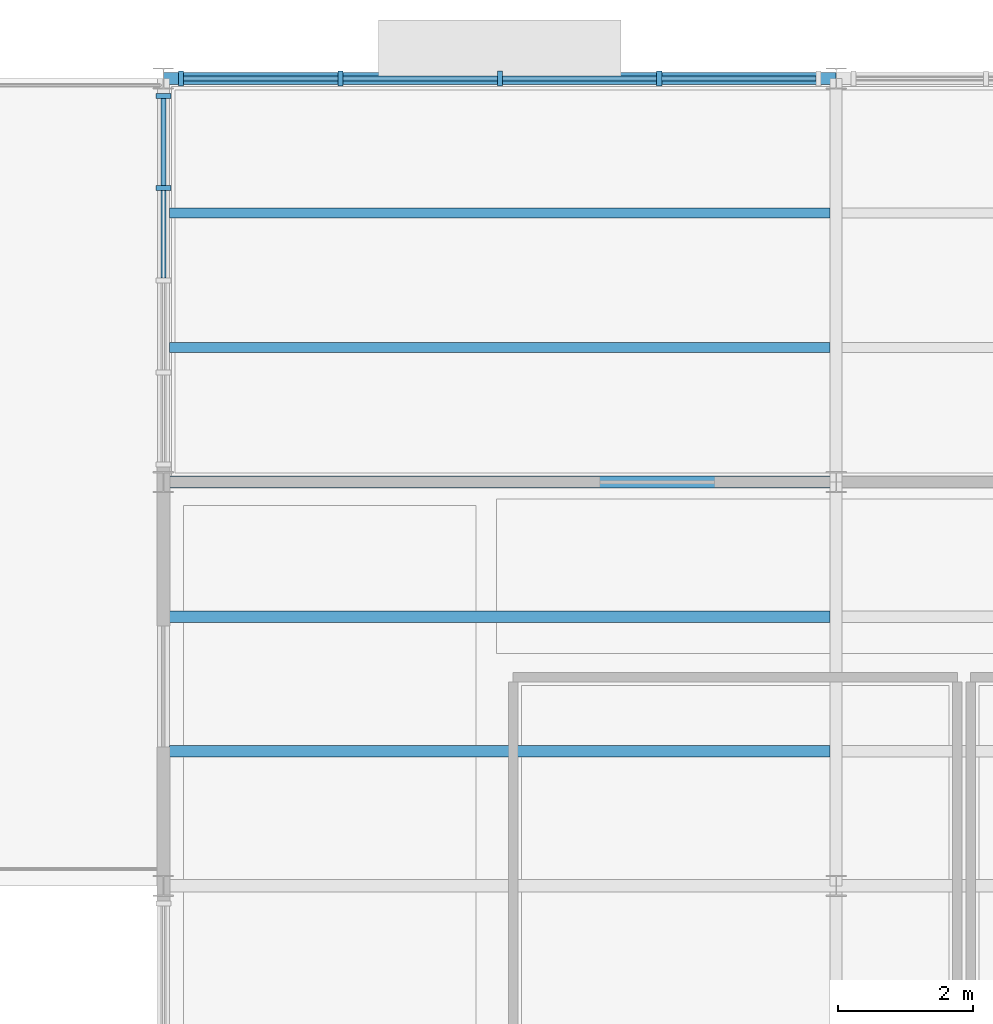
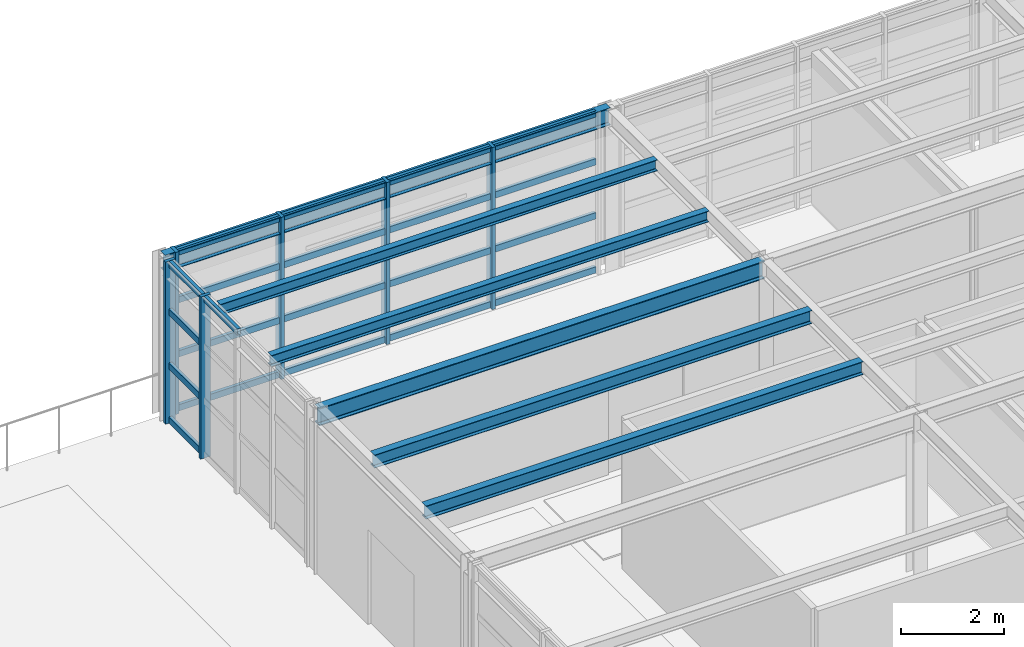
# One storey, part 23 of 49: 27 members, 6 beams, 2 elements without a shape of their own.
"""IFC4 building model written with IfcOpenShell, lengths in metres."""

from ifc_helpers import new_model, si_unit, direction, frame, origin, origin_2d, place, context, subcontext, project, spatial, rectangle, i_section, extrude, material, layer, layer_set, material_profile, profile_set, type_object, element, aggregate, save


model = new_model("IFC4")

# Units and contexts
model_context = context("Model", 3, precision=1e-05, world=origin(), true_north=direction((0.0, 1.0)))
body_context = subcontext(model_context, "Body", "Model", "MODEL_VIEW")
ifc_project = project(units=[si_unit("LENGTHUNIT", "METRE"), si_unit("AREAUNIT", "SQUARE_METRE"), si_unit("VOLUMEUNIT", "CUBIC_METRE"), si_unit("PLANEANGLEUNIT", "RADIAN"), si_unit("MASSUNIT", "GRAM", prefix="KILO")], contexts=[model_context])

# Site, building, storey
site_placement = place(None, origin())
site = spatial("IfcSite", under=ifc_project, at=site_placement, CompositionType="ELEMENT")
building_placement = place(site_placement, origin())
building = spatial("IfcBuilding", under=site, at=building_placement, Name="Sitalva Quay Ferry Terminal", CompositionType="ELEMENT")
storey_placement = place(building_placement, frame((0.0, 0.0, 10.199951171875)))
storey = spatial("IfcBuildingStorey", under=building, at=storey_placement, Name="L03", CompositionType="ELEMENT", Elevation=10.199951171875)

# Beams
ifc_material_1 = material(Name="Structural Steel S355JR", Category="steel")
ifc_material_profile_1 = material_profile(ifc_material_1, i_section(OverallWidth=0.178955078125, OverallDepth=0.409912109375, WebThickness=0.0087890625, FlangeThickness=0.014404296875, FilletRadius=0.012939453125, at=origin_2d()), Name="W410x67")
ifc_profile_set_1 = profile_set([ifc_material_profile_1], Name="Structural Steel S355JR")
beam_type_1 = type_object("IfcBeamType", Name="Beam_W410x67", PredefinedType="BEAM", material=ifc_profile_set_1)
beam_1_placement = place(storey_placement, frame((74.0, 112.0, 3.64501953125), z_axis=(1.0, 0.0, 0.0), x_axis=(0.0, 1.0, 0.0)))
element("IfcBeam", 1, at=beam_1_placement, inside=storey, type_object=beam_type_1, Name="L03 Primary X girder 1276", PredefinedType="BEAM", context=body_context, shape_type="SweptSolid", body=[
    extrude(i_section(OverallWidth=0.178955078125, OverallDepth=0.409912109375, WebThickness=0.0087890625, FlangeThickness=0.014404296875, FilletRadius=0.012939453125, at=origin_2d()), origin(), (0.0, 0.0, 1.0), 10.0),
])
ifc_material_2 = material(Name="Structural Steel S355JR", Category="steel")
ifc_material_profile_2 = material_profile(ifc_material_2, i_section(OverallWidth=0.180908203125, OverallDepth=0.4169921875, WebThickness=0.010986328125, FlangeThickness=0.018310546875, FilletRadius=0.012939453125, at=origin_2d()), Name="W410x85")
ifc_profile_set_2 = profile_set([ifc_material_profile_2], Name="Structural Steel S355JR")
beam_type_2 = type_object("IfcBeamType", Name="Beam_W410x85", PredefinedType="BEAM", material=ifc_profile_set_2)
beam_2_placement = place(storey_placement, frame((74.0, 106.0, 3.6416015625), z_axis=(1.0, 0.0, 0.0), x_axis=(0.0, 1.0, 0.0)))
element("IfcBeam", 2, at=beam_2_placement, inside=storey, type_object=beam_type_2, Name="L03 Primary X girder 1219", PredefinedType="BEAM", context=body_context, shape_type="SweptSolid", body=[
    extrude(i_section(OverallWidth=0.180908203125, OverallDepth=0.4169921875, WebThickness=0.010986328125, FlangeThickness=0.018310546875, FilletRadius=0.012939453125, at=origin_2d()), origin(), (0.0, 0.0, 1.0), 10.0),
])
ifc_material_3 = material(Name="Structural Steel S355JR", Category="steel")
ifc_material_profile_3 = material_profile(ifc_material_3, i_section(OverallWidth=0.14697265625, OverallDepth=0.261962890625, WebThickness=0.006591796875, FlangeThickness=0.01123046875, FilletRadius=0.010009765625, at=origin_2d()), Name="W250x39")
ifc_profile_set_3 = profile_set([ifc_material_profile_3], Name="Structural Steel S355JR")
beam_type_3 = type_object("IfcBeamType", Name="Joist_W250x39", PredefinedType="JOIST", material=ifc_profile_set_3)
for number, where, z_axis, x_axis, name in (
    (3, (74.089599609375, 108.0, 3.718994140625), (1.0, 0.0, 0.0), (0.0, 1.0, 0.0), "L03 Secondary joist 1287"),
    (4, (74.089599609375, 110.0, 3.718994140625), (1.0, 0.0, 0.0), (0.0, 1.0, 0.0), "L03 Secondary joist 1292"),
):
    element("IfcBeam", number, at=place(storey_placement, frame(where, z_axis=z_axis, x_axis=x_axis)), inside=storey, type_object=beam_type_3, Name=name, PredefinedType="JOIST", context=body_context, shape_type="SweptSolid", body=[
        extrude(i_section(OverallWidth=0.14697265625, OverallDepth=0.261962890625, WebThickness=0.006591796875, FlangeThickness=0.01123046875, FilletRadius=0.010009765625, at=origin_2d()), origin(), (0.0, 0.0, 1.0), 9.82080078125),
    ])
ifc_material_4 = material(Name="Structural Steel S355JR", Category="steel")
ifc_material_profile_4 = material_profile(ifc_material_4, i_section(OverallWidth=0.166015625, OverallDepth=0.31298828125, WebThickness=0.006591796875, FlangeThickness=0.01123046875, FilletRadius=0.010986328125, at=origin_2d()), Name="W310x45")
ifc_profile_set_4 = profile_set([ifc_material_profile_4], Name="Structural Steel S355JR")
beam_type_4 = type_object("IfcBeamType", Name="Joist_W310x45", PredefinedType="JOIST", material=ifc_profile_set_4)
for number, where, z_axis, x_axis, name in (
    (5, (74.089599609375, 102.0, 3.763427734375), (1.0, 0.0, 0.0), (0.0, 1.0, 0.0), "L03 Secondary joist 1264"),
    (6, (74.089599609375, 104.0, 3.763427734375), (1.0, 0.0, 0.0), (0.0, 1.0, 0.0), "L03 Secondary joist 1270"),
):
    element("IfcBeam", number, at=place(storey_placement, frame(where, z_axis=z_axis, x_axis=x_axis)), inside=storey, type_object=beam_type_4, Name=name, PredefinedType="JOIST", context=body_context, shape_type="SweptSolid", body=[
        extrude(i_section(OverallWidth=0.166015625, OverallDepth=0.31298828125, WebThickness=0.006591796875, FlangeThickness=0.01123046875, FilletRadius=0.010986328125, at=origin_2d()), origin(), (0.0, 0.0, 1.0), 9.82080078125),
    ])

# Curtain wall, members
ifc_material_5 = material(Name="Anodised Aluminium & Low-E Glazing", Category="aluminium")
ifc_layer = layer(ifc_material_5, 0.159912109375)
ifc_layer_set = layer_set([ifc_layer], Name="Anodised Aluminium & Low-E Glazing")
curtain_wall_type = type_object("IfcCurtainWallType", Name="CW_Office_Unitised", PredefinedType="USERDEFINED", material=ifc_layer_set)
curtain_wall_1_placement = place(storey_placement, origin())
curtain_wall_1 = element("IfcCurtainWall", 7, at=curtain_wall_1_placement, inside=storey, type_object=curtain_wall_type, Name="L03 maritime bridge west glazing (CW-L03-126)", ObjectType="CURTAIN_WALL", PredefinedType="USERDEFINED")
ifc_material_6 = material(Name="Anodised Aluminium 6063-T6", Category="aluminium")
ifc_material_profile_5 = material_profile(ifc_material_6, rectangle(XDim=0.074951171875, YDim=0.219970703125, at=origin_2d()), Name="ALU75x220")
ifc_profile_set_5 = profile_set([ifc_material_profile_5], Name="Anodised Aluminium 6063-T6")
member_type_1 = type_object("IfcMemberType", Name="Mullion_Alu_75x160", PredefinedType="MULLION", material=ifc_profile_set_5)
member_1_placement = place(storey_placement, frame((74.0, 110.3701171875, 0.0), z_axis=(0.0, 0.0, 1.0), x_axis=(0.0, 1.0, 0.0)))
member_1 = element("IfcMember", 8, at=member_1_placement, type_object=member_type_1, Name="CW-L03-126-M3", PredefinedType="MULLION", context=body_context, shape_type="SweptSolid", body=[
    extrude(rectangle(XDim=0.074951171875, YDim=0.219970703125, at=origin_2d()), origin(), (0.0, 0.0, 1.0), 3.85009765625),
])
member_2_placement = place(storey_placement, frame((74.0, 111.739990234375, 0.0), z_axis=(0.0, 0.0, 1.0), x_axis=(0.0, 1.0, 0.0)))
member_2 = element("IfcMember", 9, at=member_2_placement, type_object=member_type_1, Name="CW-L03-126-M4", PredefinedType="MULLION", context=body_context, shape_type="SweptSolid", body=[
    extrude(rectangle(XDim=0.074951171875, YDim=0.219970703125, at=origin_2d()), origin(), (0.0, 0.0, 1.0), 3.85009765625),
])

curtain_wall_2_placement = place(storey_placement, origin())
curtain_wall_2 = element("IfcCurtainWall", 10, at=curtain_wall_2_placement, inside=storey, type_object=curtain_wall_type, Name="L03 maritime admin north glazing (CW-L03-132)", ObjectType="CURTAIN_WALL", PredefinedType="USERDEFINED")
member_3_placement = place(storey_placement, frame((74.260009765625, 112.0, 0.0), z_axis=(0.0, 0.0, 1.0), x_axis=(1.0, 0.0, 0.0)))
member_3 = element("IfcMember", 11, at=member_3_placement, type_object=member_type_1, Name="CW-L03-132-M0", PredefinedType="MULLION", context=body_context, shape_type="SweptSolid", body=[
    extrude(rectangle(XDim=0.074951171875, YDim=0.219970703125, at=origin_2d()), origin(), (0.0, 0.0, 1.0), 3.85009765625),
])
member_4_placement = place(storey_placement, frame((76.6298828125, 112.0, 0.0), z_axis=(0.0, 0.0, 1.0), x_axis=(1.0, 0.0, 0.0)))
member_4 = element("IfcMember", 12, at=member_4_placement, type_object=member_type_1, Name="CW-L03-132-M1", PredefinedType="MULLION", context=body_context, shape_type="SweptSolid", body=[
    extrude(rectangle(XDim=0.074951171875, YDim=0.219970703125, at=origin_2d()), origin(), (0.0, 0.0, 1.0), 3.85009765625),
])
member_5_placement = place(storey_placement, frame((79.0, 112.0, 0.0), z_axis=(0.0, 0.0, 1.0), x_axis=(1.0, 0.0, 0.0)))
member_5 = element("IfcMember", 13, at=member_5_placement, type_object=member_type_1, Name="CW-L03-132-M2", PredefinedType="MULLION", context=body_context, shape_type="SweptSolid", body=[
    extrude(rectangle(XDim=0.074951171875, YDim=0.219970703125, at=origin_2d()), origin(), (0.0, 0.0, 1.0), 3.85009765625),
])
member_6_placement = place(storey_placement, frame((81.3701171875, 112.0, 0.0), z_axis=(0.0, 0.0, 1.0), x_axis=(1.0, 0.0, 0.0)))
member_6 = element("IfcMember", 14, at=member_6_placement, type_object=member_type_1, Name="CW-L03-132-M3", PredefinedType="MULLION", context=body_context, shape_type="SweptSolid", body=[
    extrude(rectangle(XDim=0.074951171875, YDim=0.219970703125, at=origin_2d()), origin(), (0.0, 0.0, 1.0), 3.85009765625),
])

# Member
ifc_material_7 = material(Name="Anodised Aluminium 6063-T6", Category="aluminium")
ifc_material_profile_6 = material_profile(ifc_material_7, rectangle(XDim=0.074951171875, YDim=0.14990234375, at=origin_2d()), Name="ALU75x150")
ifc_profile_set_6 = profile_set([ifc_material_profile_6], Name="Anodised Aluminium 6063-T6")
member_type_2 = type_object("IfcMemberType", Name="Transom_Alu_75x140", PredefinedType="MULLION", material=ifc_profile_set_6)
member_7_placement = place(storey_placement, frame((74.0, 109.03759765625, 3.775146484375), z_axis=(0.0, 1.0, 0.0), x_axis=(-1.0, 0.0, 0.0)))
member_7 = element("IfcMember", 15, at=member_7_placement, type_object=member_type_2, Name="CW-L03-126-T2-3", ObjectType="TRANSOM", PredefinedType="USERDEFINED", context=body_context, shape_type="SweptSolid", body=[
    extrude(rectangle(XDim=0.074951171875, YDim=0.14990234375, at=origin_2d()), origin(), (0.0, 0.0, 1.0), 1.294921875),
])

member_8_placement = place(storey_placement, frame((74.0, 110.407470703125, 0.074951171875), z_axis=(0.0, 1.0, 0.0), x_axis=(-1.0, 0.0, 0.0)))
member_8 = element("IfcMember", 16, at=member_8_placement, type_object=member_type_2, Name="CW-L03-126-T3-0", ObjectType="TRANSOM", PredefinedType="USERDEFINED", context=body_context, shape_type="SweptSolid", body=[
    extrude(rectangle(XDim=0.074951171875, YDim=0.14990234375, at=origin_2d()), origin(), (0.0, 0.0, 1.0), 1.294921875),
])

member_9_placement = place(storey_placement, frame((74.0, 110.407470703125, 1.3583984375), z_axis=(0.0, 1.0, 0.0), x_axis=(-1.0, 0.0, 0.0)))
member_9 = element("IfcMember", 17, at=member_9_placement, type_object=member_type_2, Name="CW-L03-126-T3-1", ObjectType="TRANSOM", PredefinedType="USERDEFINED", context=body_context, shape_type="SweptSolid", body=[
    extrude(rectangle(XDim=0.074951171875, YDim=0.14990234375, at=origin_2d()), origin(), (0.0, 0.0, 1.0), 1.294921875),
])

member_10_placement = place(storey_placement, frame((74.0, 110.407470703125, 2.6416015625), z_axis=(0.0, 1.0, 0.0), x_axis=(-1.0, 0.0, 0.0)))
member_10 = element("IfcMember", 18, at=member_10_placement, type_object=member_type_2, Name="CW-L03-126-T3-2", ObjectType="TRANSOM", PredefinedType="USERDEFINED", context=body_context, shape_type="SweptSolid", body=[
    extrude(rectangle(XDim=0.074951171875, YDim=0.14990234375, at=origin_2d()), origin(), (0.0, 0.0, 1.0), 1.294921875),
])

member_11_placement = place(storey_placement, frame((74.0, 110.407470703125, 3.775146484375), z_axis=(0.0, 1.0, 0.0), x_axis=(-1.0, 0.0, 0.0)))
member_11 = element("IfcMember", 19, at=member_11_placement, type_object=member_type_2, Name="CW-L03-126-T3-3", ObjectType="TRANSOM", PredefinedType="USERDEFINED", context=body_context, shape_type="SweptSolid", body=[
    extrude(rectangle(XDim=0.074951171875, YDim=0.14990234375, at=origin_2d()), origin(), (0.0, 0.0, 1.0), 1.294921875),
])

aggregate(curtain_wall_1, [member_1, member_2, member_7, member_8, member_9, member_10, member_11])

member_12_placement = place(storey_placement, frame((74.297607421875, 112.0, 0.074951171875), z_axis=(1.0, 0.0, 0.0), x_axis=(0.0, 1.0, 0.0)))
member_12 = element("IfcMember", 20, at=member_12_placement, type_object=member_type_2, Name="CW-L03-132-T0-0", ObjectType="TRANSOM", PredefinedType="USERDEFINED", context=body_context, shape_type="SweptSolid", body=[
    extrude(rectangle(XDim=0.074951171875, YDim=0.14990234375, at=origin_2d()), origin(), (0.0, 0.0, 1.0), 2.294921875),
])

member_13_placement = place(storey_placement, frame((74.297607421875, 112.0, 1.3583984375), z_axis=(1.0, 0.0, 0.0), x_axis=(0.0, 1.0, 0.0)))
member_13 = element("IfcMember", 21, at=member_13_placement, type_object=member_type_2, Name="CW-L03-132-T0-1", ObjectType="TRANSOM", PredefinedType="USERDEFINED", context=body_context, shape_type="SweptSolid", body=[
    extrude(rectangle(XDim=0.074951171875, YDim=0.14990234375, at=origin_2d()), origin(), (0.0, 0.0, 1.0), 2.294921875),
])

member_14_placement = place(storey_placement, frame((74.297607421875, 112.0, 2.6416015625), z_axis=(1.0, 0.0, 0.0), x_axis=(0.0, 1.0, 0.0)))
member_14 = element("IfcMember", 22, at=member_14_placement, type_object=member_type_2, Name="CW-L03-132-T0-2", ObjectType="TRANSOM", PredefinedType="USERDEFINED", context=body_context, shape_type="SweptSolid", body=[
    extrude(rectangle(XDim=0.074951171875, YDim=0.14990234375, at=origin_2d()), origin(), (0.0, 0.0, 1.0), 2.294921875),
])

member_15_placement = place(storey_placement, frame((74.297607421875, 112.0, 3.775146484375), z_axis=(1.0, 0.0, 0.0), x_axis=(0.0, 1.0, 0.0)))
member_15 = element("IfcMember", 23, at=member_15_placement, type_object=member_type_2, Name="CW-L03-132-T0-3", ObjectType="TRANSOM", PredefinedType="USERDEFINED", context=body_context, shape_type="SweptSolid", body=[
    extrude(rectangle(XDim=0.074951171875, YDim=0.14990234375, at=origin_2d()), origin(), (0.0, 0.0, 1.0), 2.294921875),
])

member_16_placement = place(storey_placement, frame((76.66748046875, 112.0, 0.074951171875), z_axis=(1.0, 0.0, 0.0), x_axis=(0.0, 1.0, 0.0)))
member_16 = element("IfcMember", 24, at=member_16_placement, type_object=member_type_2, Name="CW-L03-132-T1-0", ObjectType="TRANSOM", PredefinedType="USERDEFINED", context=body_context, shape_type="SweptSolid", body=[
    extrude(rectangle(XDim=0.074951171875, YDim=0.14990234375, at=origin_2d()), origin(), (0.0, 0.0, 1.0), 2.294921875),
])

member_17_placement = place(storey_placement, frame((76.66748046875, 112.0, 1.3583984375), z_axis=(1.0, 0.0, 0.0), x_axis=(0.0, 1.0, 0.0)))
member_17 = element("IfcMember", 25, at=member_17_placement, type_object=member_type_2, Name="CW-L03-132-T1-1", ObjectType="TRANSOM", PredefinedType="USERDEFINED", context=body_context, shape_type="SweptSolid", body=[
    extrude(rectangle(XDim=0.074951171875, YDim=0.14990234375, at=origin_2d()), origin(), (0.0, 0.0, 1.0), 2.294921875),
])

member_18_placement = place(storey_placement, frame((76.66748046875, 112.0, 2.6416015625), z_axis=(1.0, 0.0, 0.0), x_axis=(0.0, 1.0, 0.0)))
member_18 = element("IfcMember", 26, at=member_18_placement, type_object=member_type_2, Name="CW-L03-132-T1-2", ObjectType="TRANSOM", PredefinedType="USERDEFINED", context=body_context, shape_type="SweptSolid", body=[
    extrude(rectangle(XDim=0.074951171875, YDim=0.14990234375, at=origin_2d()), origin(), (0.0, 0.0, 1.0), 2.294921875),
])

member_19_placement = place(storey_placement, frame((76.66748046875, 112.0, 3.775146484375), z_axis=(1.0, 0.0, 0.0), x_axis=(0.0, 1.0, 0.0)))
member_19 = element("IfcMember", 27, at=member_19_placement, type_object=member_type_2, Name="CW-L03-132-T1-3", ObjectType="TRANSOM", PredefinedType="USERDEFINED", context=body_context, shape_type="SweptSolid", body=[
    extrude(rectangle(XDim=0.074951171875, YDim=0.14990234375, at=origin_2d()), origin(), (0.0, 0.0, 1.0), 2.294921875),
])

member_20_placement = place(storey_placement, frame((79.03759765625, 112.0, 0.074951171875), z_axis=(1.0, 0.0, 0.0), x_axis=(0.0, 1.0, 0.0)))
member_20 = element("IfcMember", 28, at=member_20_placement, type_object=member_type_2, Name="CW-L03-132-T2-0", ObjectType="TRANSOM", PredefinedType="USERDEFINED", context=body_context, shape_type="SweptSolid", body=[
    extrude(rectangle(XDim=0.074951171875, YDim=0.14990234375, at=origin_2d()), origin(), (0.0, 0.0, 1.0), 2.294921875),
])

member_21_placement = place(storey_placement, frame((79.03759765625, 112.0, 1.3583984375), z_axis=(1.0, 0.0, 0.0), x_axis=(0.0, 1.0, 0.0)))
member_21 = element("IfcMember", 29, at=member_21_placement, type_object=member_type_2, Name="CW-L03-132-T2-1", ObjectType="TRANSOM", PredefinedType="USERDEFINED", context=body_context, shape_type="SweptSolid", body=[
    extrude(rectangle(XDim=0.074951171875, YDim=0.14990234375, at=origin_2d()), origin(), (0.0, 0.0, 1.0), 2.294921875),
])

member_22_placement = place(storey_placement, frame((79.03759765625, 112.0, 2.6416015625), z_axis=(1.0, 0.0, 0.0), x_axis=(0.0, 1.0, 0.0)))
member_22 = element("IfcMember", 30, at=member_22_placement, type_object=member_type_2, Name="CW-L03-132-T2-2", ObjectType="TRANSOM", PredefinedType="USERDEFINED", context=body_context, shape_type="SweptSolid", body=[
    extrude(rectangle(XDim=0.074951171875, YDim=0.14990234375, at=origin_2d()), origin(), (0.0, 0.0, 1.0), 2.294921875),
])

member_23_placement = place(storey_placement, frame((79.03759765625, 112.0, 3.775146484375), z_axis=(1.0, 0.0, 0.0), x_axis=(0.0, 1.0, 0.0)))
member_23 = element("IfcMember", 31, at=member_23_placement, type_object=member_type_2, Name="CW-L03-132-T2-3", ObjectType="TRANSOM", PredefinedType="USERDEFINED", context=body_context, shape_type="SweptSolid", body=[
    extrude(rectangle(XDim=0.074951171875, YDim=0.14990234375, at=origin_2d()), origin(), (0.0, 0.0, 1.0), 2.294921875),
])

member_24_placement = place(storey_placement, frame((81.407470703125, 112.0, 0.074951171875), z_axis=(1.0, 0.0, 0.0), x_axis=(0.0, 1.0, 0.0)))
member_24 = element("IfcMember", 32, at=member_24_placement, type_object=member_type_2, Name="CW-L03-132-T3-0", ObjectType="TRANSOM", PredefinedType="USERDEFINED", context=body_context, shape_type="SweptSolid", body=[
    extrude(rectangle(XDim=0.074951171875, YDim=0.14990234375, at=origin_2d()), origin(), (0.0, 0.0, 1.0), 2.294921875),
])

member_25_placement = place(storey_placement, frame((81.407470703125, 112.0, 1.3583984375), z_axis=(1.0, 0.0, 0.0), x_axis=(0.0, 1.0, 0.0)))
member_25 = element("IfcMember", 33, at=member_25_placement, type_object=member_type_2, Name="CW-L03-132-T3-1", ObjectType="TRANSOM", PredefinedType="USERDEFINED", context=body_context, shape_type="SweptSolid", body=[
    extrude(rectangle(XDim=0.074951171875, YDim=0.14990234375, at=origin_2d()), origin(), (0.0, 0.0, 1.0), 2.294921875),
])

member_26_placement = place(storey_placement, frame((81.407470703125, 112.0, 2.6416015625), z_axis=(1.0, 0.0, 0.0), x_axis=(0.0, 1.0, 0.0)))
member_26 = element("IfcMember", 34, at=member_26_placement, type_object=member_type_2, Name="CW-L03-132-T3-2", ObjectType="TRANSOM", PredefinedType="USERDEFINED", context=body_context, shape_type="SweptSolid", body=[
    extrude(rectangle(XDim=0.074951171875, YDim=0.14990234375, at=origin_2d()), origin(), (0.0, 0.0, 1.0), 2.294921875),
])

member_27_placement = place(storey_placement, frame((81.407470703125, 112.0, 3.775146484375), z_axis=(1.0, 0.0, 0.0), x_axis=(0.0, 1.0, 0.0)))
member_27 = element("IfcMember", 35, at=member_27_placement, type_object=member_type_2, Name="CW-L03-132-T3-3", ObjectType="TRANSOM", PredefinedType="USERDEFINED", context=body_context, shape_type="SweptSolid", body=[
    extrude(rectangle(XDim=0.074951171875, YDim=0.14990234375, at=origin_2d()), origin(), (0.0, 0.0, 1.0), 2.294921875),
])

aggregate(curtain_wall_2, [member_3, member_4, member_5, member_6, member_12, member_13, member_14, member_15, member_16, member_17, member_18, member_19, member_20, member_21, member_22, member_23, member_24, member_25, member_26, member_27])

save(model, "model.ifc")
